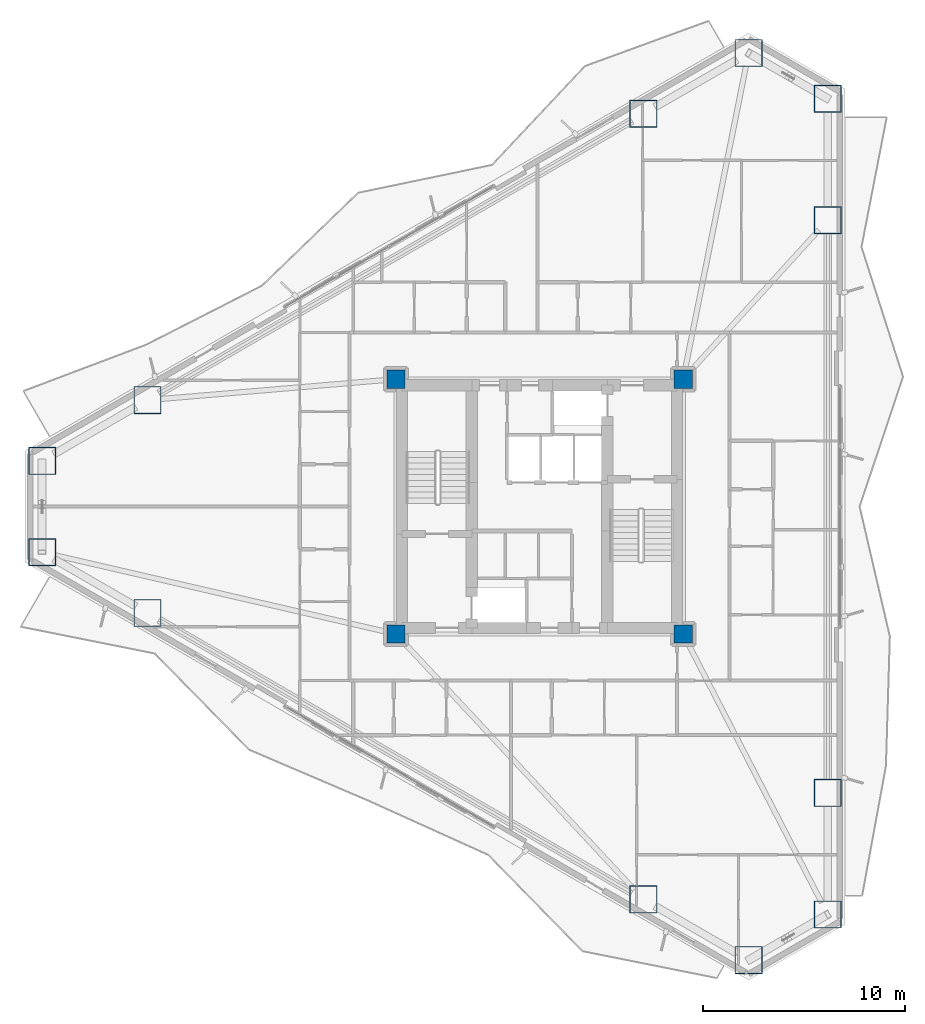
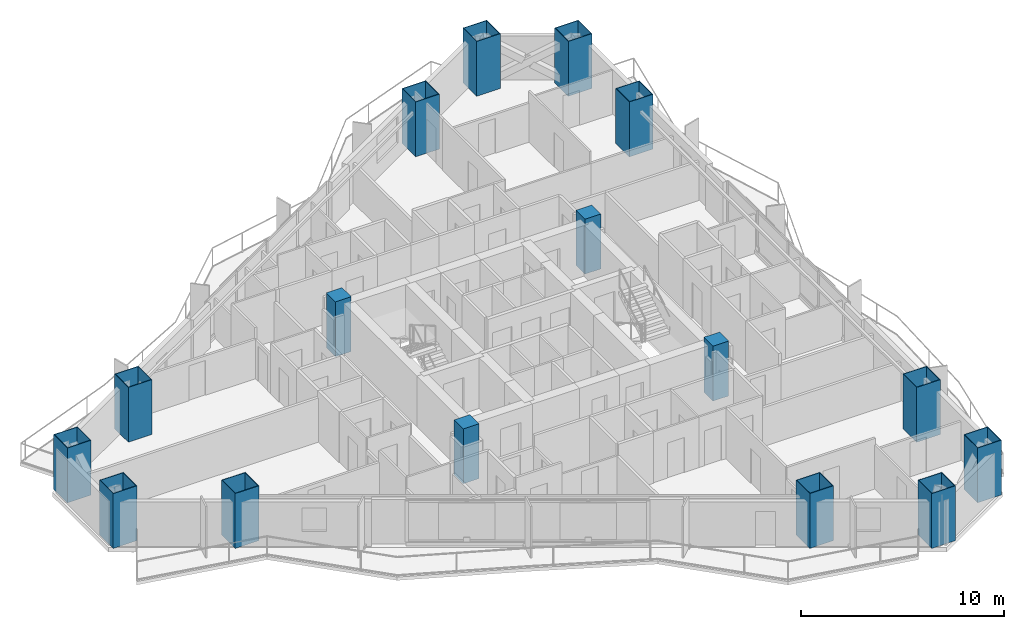
# One storey, part 1 of 18: 16 columns.
"""IFC4 building model written with IfcOpenShell, lengths in metres."""

import ifcopenshell
import ifcopenshell.guid

model = None  # the IFC model being written
_history = None  # IfcOwnerHistory: only IFC2X3 demands one
_inside = {}  # id of a spatial element -> (the spatial element, [elements in it])
_under = {}  # id of a project, library or spatial element -> (it, [spatial elements below it])
_declared = {}  # id of a project -> (the project, [libraries it declares])
_typed = {}  # id of a type object -> (the type object, [elements of that type])
_made_of = {}  # id of a material, layer set ... -> (it, [elements and type objects made of it])


def new_model(schema):
    """Start an empty IFC model of exactly this schema.

    Asked for "IFC4X3", IfcOpenShell would pick the latest addendum, in which some entities
    have other attributes; the version numbers below select the first issue.
    IFC2X3 requires an IfcOwnerHistory on every rooted entity: one is made here for all.
    """
    global model, _history
    if schema == "IFC4X3":
        model = ifcopenshell.file(schema_version=(4, 3, 0, 0))
    else:
        model = ifcopenshell.file(schema=schema)
    _inside.clear()
    _under.clear()
    _declared.clear()
    _typed.clear()
    _made_of.clear()
    _history = None
    if model.schema == "IFC2X3":
        org = make("IfcOrganization", Name="unknown")
        user = make(
            "IfcPersonAndOrganization",
            ThePerson=make("IfcPerson", FamilyName="unknown"),
            TheOrganization=org,
        )
        app = make(
            "IfcApplication",
            ApplicationDeveloper=org,
            Version="unknown",
            ApplicationFullName="unknown",
            ApplicationIdentifier="unknown",
        )
        _history = make(
            "IfcOwnerHistory",
            OwningUser=user,
            OwningApplication=app,
            ChangeAction="ADDED",
            CreationDate=0,
        )
    return model


def make(cls, **values):
    """One entity of the class cls with the attributes given. An attribute that is None is left unset."""
    return model.create_entity(
        cls, **{name: value for name, value in values.items() if value is not None}
    )


def rooted(cls, **values):
    """An entity with a GlobalId (a new one), such as an element, a storey or a relation."""
    return make(cls, GlobalId=ifcopenshell.guid.new(), OwnerHistory=_history, **values)


def si_unit(unit_type, name, prefix=None):
    """IfcSIUnit, for example si_unit("LENGTHUNIT", "METRE", prefix="MILLI")."""
    return make("IfcSIUnit", UnitType=unit_type, Prefix=prefix, Name=name)


def assignment(units):
    """IfcUnitAssignment: the units of a project."""
    return None if units is None else make("IfcUnitAssignment", Units=units)


def point(xyz):
    """IfcCartesianPoint."""
    return None if xyz is None else make("IfcCartesianPoint", Coordinates=xyz)


def direction(xyz):
    """IfcDirection."""
    return None if xyz is None else make("IfcDirection", DirectionRatios=xyz)


def frame(location, z_axis=None, x_axis=None):
    """IfcAxis2Placement3D, a coordinate frame: its origin and axes. An axis left out is left unset."""
    return make(
        "IfcAxis2Placement3D",
        Location=point(location),
        Axis=direction(z_axis),
        RefDirection=direction(x_axis),
    )


def frame_2d(location, x_axis=None):
    """IfcAxis2Placement2D, a coordinate frame in the plane: its origin and x axis."""
    return make(
        "IfcAxis2Placement2D", Location=point(location), RefDirection=direction(x_axis)
    )


def origin():
    """The frame at (0, 0, 0) with its axes left unset."""
    return frame((0.0, 0.0, 0.0))


def origin_2d():
    """The frame at (0, 0) in the plane with its x axis left unset."""
    return frame_2d((0.0, 0.0))


def place(relative_to, where):
    """IfcLocalPlacement: puts the frame where relative to a parent placement (None: the world)."""
    return make(
        "IfcLocalPlacement", PlacementRelTo=relative_to, RelativePlacement=where
    )


def context(
    kind, dimensions, precision=None, world=None, true_north=None, identifier=None
):
    """IfcGeometricRepresentationContext, for example the 3D "Model" context."""
    return make(
        "IfcGeometricRepresentationContext",
        ContextIdentifier=identifier,
        ContextType=kind,
        CoordinateSpaceDimension=dimensions,
        Precision=precision,
        WorldCoordinateSystem=world,
        TrueNorth=true_north,
    )


def subcontext(parent, identifier, kind, view, scale=None):
    """IfcGeometricRepresentationSubContext, for example "Body" below "Model"."""
    return make(
        "IfcGeometricRepresentationSubContext",
        ContextIdentifier=identifier,
        ContextType=kind,
        ParentContext=parent,
        TargetScale=scale,
        TargetView=view,
    )


def project(units=None, contexts=None):
    """IfcProject with its units and contexts."""
    return rooted(
        "IfcProject",
        Name="project",
        RepresentationContexts=contexts,
        UnitsInContext=assignment(units),
    )


def spatial(cls, under=None, at=None, **own):
    """A site, building, storey or space (cls), placed at a placement, below another one or the project."""
    s = rooted(cls, ObjectPlacement=at, **own)
    if under is not None:
        _under.setdefault(under.id(), (under, []))[1].append(s)
    return s


def profile(cls, at=None, kind="AREA", **sizes):
    """A parametric profile (cls). Its sizes go by their IFC names, for example OverallWidth=200.0."""
    return make(cls, ProfileType=kind, Position=at, **sizes)


def rectangle(**sizes):
    """IfcRectangleProfileDef."""
    return profile("IfcRectangleProfileDef", **sizes)


def hollow_rectangle(**sizes):
    """IfcRectangleHollowProfileDef."""
    return profile("IfcRectangleHollowProfileDef", **sizes)


def extrude(swept, where, along, depth):
    """IfcExtrudedAreaSolid: the profile swept, set in the frame where, extruded along a direction by depth."""
    return make(
        "IfcExtrudedAreaSolid",
        SweptArea=swept,
        Position=where,
        ExtrudedDirection=direction(along),
        Depth=depth,
    )


def shape(context_of_items, identifier, shape_type, items):
    """IfcShapeRepresentation: the items that make up one representation, for example the "Body"."""
    return make(
        "IfcShapeRepresentation",
        ContextOfItems=context_of_items,
        RepresentationIdentifier=identifier,
        RepresentationType=shape_type,
        Items=items,
    )


def material(Name=None, Category=None):
    """IfcMaterial."""
    return make("IfcMaterial", Name=Name, Category=Category)


def material_profile(
    of_material, cross_section, Name=None, Category=None, Priority=None
):
    """IfcMaterialProfile: a cross section and its material."""
    return make(
        "IfcMaterialProfile",
        Name=Name,
        Material=of_material,
        Profile=cross_section,
        Priority=Priority,
        Category=Category,
    )


def profile_set(profiles, Name=None, composite=None):
    """IfcMaterialProfileSet."""
    return make(
        "IfcMaterialProfileSet",
        Name=Name,
        MaterialProfiles=profiles,
        CompositeProfile=composite,
    )


def made_of(thing, what):
    """Note that an element or type object is made of a material, layer set ...; save() writes the relation."""
    if what is not None:
        _made_of.setdefault(what.id(), (what, []))[1].append(thing)
    return thing


def type_object(cls, material=None, **own):
    """A type object (cls), such as IfcWallType, which elements share."""
    return made_of(rooted(cls, **own), material)


def element(
    cls,
    number,
    at=None,
    inside=None,
    cuts=None,
    type_object=None,
    material=None,
    context=None,
    identifier="Body",
    shape_type=None,
    held_by="IfcProductDefinitionShape",
    body=None,
    shapes=None,
    **own,
):
    """One element of the class cls, such as IfcWall. Its Tag is "e" and its number.

    at: its placement. inside: the storey or other place that contains it. cuts: it is an
    opening in that element (IfcRelVoidsElement). A single representation is given by context,
    identifier, shape_type and body (its items); several are given by shapes. held_by: the class
    of the entity that holds the representations. save() writes the other relations.
    """
    e = rooted(cls, Tag="e%d" % number, ObjectPlacement=at, **own)
    if body is not None:
        shapes = [shape(context, identifier, shape_type, body)]
    if shapes is not None:
        e.Representation = make(held_by, Representations=shapes)
    if inside is not None:
        _inside.setdefault(inside.id(), (inside, []))[1].append(e)
    if cuts is not None:
        rooted(
            "IfcRelVoidsElement", RelatingBuildingElement=cuts, RelatedOpeningElement=e
        )
    if type_object is not None:
        _typed.setdefault(type_object.id(), (type_object, []))[1].append(e)
    return made_of(e, material)


def aggregate(whole, parts):
    """IfcRelAggregates: a whole, such as a stair, and the parts it consists of."""
    return rooted("IfcRelAggregates", RelatingObject=whole, RelatedObjects=parts)


def save(model, path):
    """Write the relations noted so far, then the file.

    IfcRelAggregates (storeys below a building ...), IfcRelContainedInSpatialStructure (elements
    in a storey), IfcRelDefinesByType, IfcRelAssociatesMaterial and IfcRelDeclares: one each for
    every whole, place, type object, material and project.
    """
    for whole, parts in _under.values():
        aggregate(whole, parts)
    for where, things in _inside.values():
        rooted(
            "IfcRelContainedInSpatialStructure",
            RelatedElements=things,
            RelatingStructure=where,
        )
    for kind, things in _typed.values():
        rooted("IfcRelDefinesByType", RelatedObjects=things, RelatingType=kind)
    for what, things in _made_of.values():
        rooted("IfcRelAssociatesMaterial", RelatedObjects=things, RelatingMaterial=what)
    for by, libraries in _declared.values():
        rooted("IfcRelDeclares", RelatingContext=by, RelatedDefinitions=libraries)
    model.write(path)


model = new_model("IFC4")

# Units and contexts
model_context = context("Model", 3, precision=1e-05, world=origin(), true_north=direction((0.0, 1.0)))
body_context = subcontext(model_context, "Body", "Model", "MODEL_VIEW")
ifc_project = project(units=[si_unit("LENGTHUNIT", "METRE"), si_unit("AREAUNIT", "SQUARE_METRE"), si_unit("VOLUMEUNIT", "CUBIC_METRE"), si_unit("PLANEANGLEUNIT", "RADIAN"), si_unit("MASSUNIT", "GRAM", prefix="KILO")], contexts=[model_context])

# Site, building, storey
site_placement = place(None, origin())
site = spatial("IfcSite", under=ifc_project, at=site_placement, CompositionType="ELEMENT")
building_placement = place(site_placement, origin())
building = spatial("IfcBuilding", under=site, at=building_placement, Name="Mersakhor Tower and Convention Hall", CompositionType="ELEMENT")
storey_placement = place(building_placement, frame((0.0, 0.0, 35.699951171875)))
storey = spatial("IfcBuildingStorey", under=building, at=storey_placement, Name="L09", CompositionType="ELEMENT", Elevation=35.699951171875)

# Columns
ifc_material_1 = material(Name="Concrete C70/85 in S460M steel box", Category="concrete")
ifc_material_profile_1 = material_profile(ifc_material_1, hollow_rectangle(XDim=1.35009765625, YDim=1.35009765625, WallThickness=0.035888671875, at=origin_2d()), Name="SHS 1350x1350x36")
ifc_profile_set_1 = profile_set([ifc_material_profile_1], Name="Concrete C70/85 in S460M steel box")
column_type_1 = type_object("IfcColumnType", Name="COL-CFT-1350", PredefinedType="COLUMN", material=ifc_profile_set_1)
for number, where, z_axis, x_axis, name in (
    (1, (4.4130859375, 29.00927734375, 0.0), (0.0, 0.0, 1.0), (1.0, 0.0, 0.0), "L09 Perimeter Mega-Column MC-01"),
    (2, (9.61669921875, 32.013671875, 0.0), (0.0, 0.0, 1.0), (1.0, 0.0, 0.0), "L09 Perimeter Mega-Column MC-02"),
    (3, (34.13330078125, 46.168212890625, 0.0), (0.0, 0.0, 1.0), (1.0, 0.0, 0.0), "L09 Perimeter Mega-Column MC-03"),
    (4, (39.3369140625, 49.172607421875, 0.0), (0.0, 0.0, 1.0), (1.0, 0.0, 0.0), "L09 Perimeter Mega-Column MC-04"),
    (5, (43.25, 46.913330078125, 0.0), (0.0, 0.0, 1.0), (1.0, 0.0, 0.0), "L09 Perimeter Mega-Column MC-05"),
    (6, (43.25, 40.904541015625, 0.0), (0.0, 0.0, 1.0), (1.0, 0.0, 0.0), "L09 Perimeter Mega-Column MC-06"),
    (7, (43.25, 12.595458984375, 0.0), (0.0, 0.0, 1.0), (1.0, 0.0, 0.0), "L09 Perimeter Mega-Column MC-07"),
    (8, (43.25, 6.586669921875, 0.0), (0.0, 0.0, 1.0), (1.0, 0.0, 0.0), "L09 Perimeter Mega-Column MC-08"),
    (9, (39.3369140625, 4.327392578125, 0.0), (0.0, 0.0, 1.0), (1.0, 0.0, 0.0), "L09 Perimeter Mega-Column MC-09"),
    (10, (34.13330078125, 7.331787109375, 0.0), (0.0, 0.0, 1.0), (1.0, 0.0, 0.0), "L09 Perimeter Mega-Column MC-10"),
    (11, (9.61669921875, 21.486328125, 0.0), (0.0, 0.0, 1.0), (1.0, 0.0, 0.0), "L09 Perimeter Mega-Column MC-11"),
    (12, (4.4130859375, 24.49072265625, 0.0), (0.0, 0.0, 1.0), (1.0, 0.0, 0.0), "L09 Perimeter Mega-Column MC-12"),
):
    element("IfcColumn", number, at=place(storey_placement, frame(where, z_axis=z_axis, x_axis=x_axis)), inside=storey, type_object=column_type_1, Name=name, PredefinedType="COLUMN", context=body_context, shape_type="SweptSolid", body=[
        extrude(hollow_rectangle(XDim=1.35009765625, YDim=1.35009765625, WallThickness=0.035888671875, at=origin_2d()), origin(), (0.0, 0.0, 1.0), 3.300048828125),
    ])
ifc_material_2 = material(Name="Concrete C60/75", Category="concrete")
ifc_material_profile_2 = material_profile(ifc_material_2, rectangle(XDim=0.89990234375, YDim=0.89990234375, at=origin_2d()), Name="RC 900x900")
ifc_profile_set_2 = profile_set([ifc_material_profile_2], Name="Concrete C60/75")
column_type_2 = type_object("IfcColumnType", Name="COL-RC-900", PredefinedType="COLUMN", material=ifc_profile_set_2)
for number, where, z_axis, x_axis, name in (
    (13, (21.89990234375, 20.449951171875, 0.0), (0.0, 0.0, 1.0), (1.0, 0.0, 0.0), "L09 Core Corner Column CC-1"),
    (14, (21.89990234375, 33.050048828125, 0.0), (0.0, 0.0, 1.0), (1.0, 0.0, 0.0), "L09 Core Corner Column CC-2"),
    (15, (36.10009765625, 33.050048828125, 0.0), (0.0, 0.0, 1.0), (1.0, 0.0, 0.0), "L09 Core Corner Column CC-3"),
    (16, (36.10009765625, 20.449951171875, 0.0), (0.0, 0.0, 1.0), (1.0, 0.0, 0.0), "L09 Core Corner Column CC-4"),
):
    element("IfcColumn", number, at=place(storey_placement, frame(where, z_axis=z_axis, x_axis=x_axis)), inside=storey, type_object=column_type_2, Name=name, PredefinedType="COLUMN", context=body_context, shape_type="SweptSolid", body=[
        extrude(rectangle(XDim=0.89990234375, YDim=0.89990234375, at=origin_2d()), origin(), (0.0, 0.0, 1.0), 3.300048828125),
    ])

save(model, "model.ifc")
